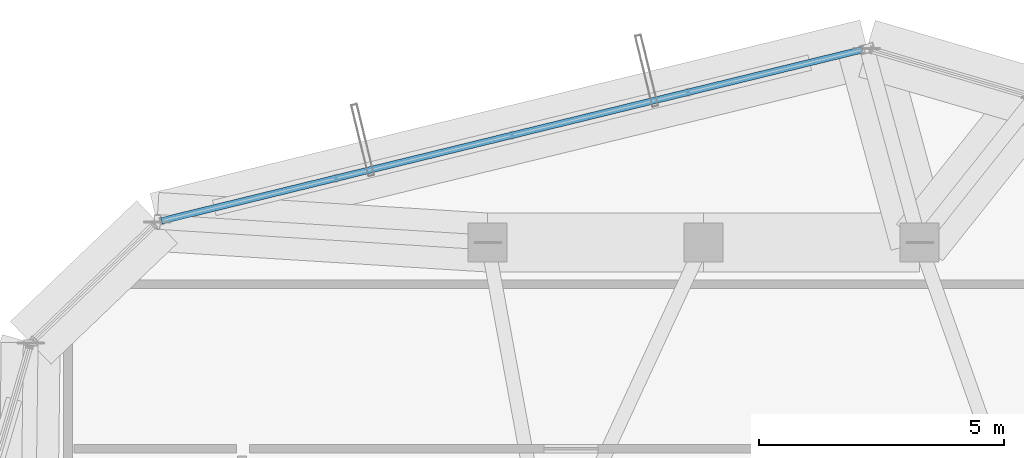
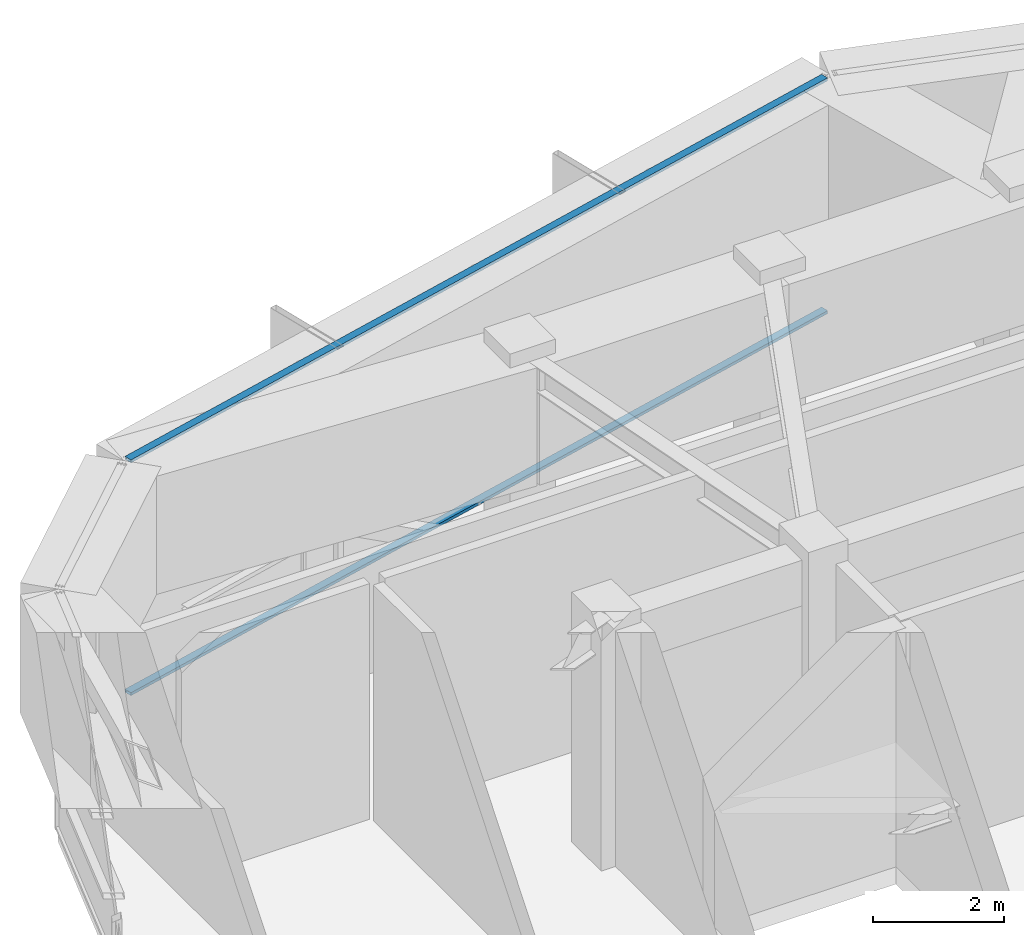
# One storey, part 32 of 39: 2 members, 1 element without a shape of its own.
"""IFC4 building model written with IfcOpenShell, lengths in metres."""

from ifc_helpers import new_model, si_unit, direction, frame, origin, origin_2d, place, context, subcontext, project, spatial, hollow_rectangle, extrude, source, transform, mapped, material, layer, layer_set, material_profile, profile_set, type_object, element, aggregate, save


model = new_model("IFC4")

# Units and contexts
model_context = context("Model", 3, precision=1e-05, world=origin(), true_north=direction((0.0, 1.0)))
body_context = subcontext(model_context, "Body", "Model", "MODEL_VIEW")
ifc_project = project(units=[si_unit("LENGTHUNIT", "METRE"), si_unit("AREAUNIT", "SQUARE_METRE"), si_unit("VOLUMEUNIT", "CUBIC_METRE"), si_unit("PLANEANGLEUNIT", "RADIAN"), si_unit("MASSUNIT", "GRAM", prefix="KILO")], contexts=[model_context])

# Site, building, storey
site_placement = place(None, origin())
site = spatial("IfcSite", under=ifc_project, at=site_placement, CompositionType="ELEMENT")
building_placement = place(site_placement, origin())
building = spatial("IfcBuilding", under=site, at=building_placement, Name="Veraguas Prism Commons", CompositionType="ELEMENT")
storey_placement = place(building_placement, frame((0.0, 0.0, 264.25)))
storey = spatial("IfcBuildingStorey", under=building, at=storey_placement, Name="L75", CompositionType="ELEMENT", Elevation=264.25)

# Curtain wall, members
ifc_material = material(Name="Anodised aluminium EN AW-6063 T6", Category="aluminium")
ifc_layer = layer(ifc_material, 0.14990234375, Name="Unitised Flush Curtain Wall Zone 4", Category="aluminium")
ifc_layer_set = layer_set([ifc_layer], Name="Anodised aluminium EN AW-6063 T6")
curtain_wall_type = type_object("IfcCurtainWallType", Name="Unitised Flush Curtain Wall Zone 4", PredefinedType="NOTDEFINED", material=ifc_layer_set)
curtain_wall_placement = place(storey_placement, origin())
curtain_wall = element("IfcCurtainWall", 1, at=curtain_wall_placement, inside=storey, type_object=curtain_wall_type, Name="Tower Facade Curtain Wall L75-F2", PredefinedType="NOTDEFINED")
ifc_material_profile = material_profile(ifc_material, hollow_rectangle(XDim=0.054931640625, YDim=0.135009765625, WallThickness=0.0029296875, at=origin_2d()), Name="AL55X135X3")
ifc_profile_set = profile_set([ifc_material_profile], Name="Anodised aluminium EN AW-6063 T6")
member_type = type_object("IfcMemberType", Name="Curtain Wall Transom Standard AL 55x135x3", PredefinedType="USERDEFINED", material=ifc_profile_set)
shared_shape = source(origin(), body_context, "Body", "SweptSolid", [
    extrude(hollow_rectangle(XDim=0.054931640625, YDim=0.135009765625, WallThickness=0.0029296875, at=origin_2d()), origin(), (0.0, 0.0, 1.0), 14.706298828125),
])
member_1_placement = place(storey_placement, frame((27.24072265625, 41.72900390625, 0.027587890625), z_axis=(-0.971465597161, -0.237180508333, 0.0), x_axis=(0.0, 0.0, 1.0)))
member_1 = element("IfcMember", 2, at=member_1_placement, type_object=member_type, Name="CW-Z4 Transom 1", ObjectType="TRANSOM", PredefinedType="USERDEFINED", context=body_context, shape_type="MappedRepresentation", body=[
    mapped(shared_shape, transform((0.0, 0.0, 0.0), scale=1.0)),
])
member_2_placement = place(storey_placement, frame((27.24072265625, 41.72900390625, 4.362548828125), z_axis=(-0.971465597161, -0.237180508333, 0.0), x_axis=(0.0, 0.0, 1.0)))
member_2 = element("IfcMember", 3, at=member_2_placement, type_object=member_type, Name="CW-Z4 Transom 2", ObjectType="TRANSOM", PredefinedType="USERDEFINED", context=body_context, shape_type="MappedRepresentation", body=[
    mapped(shared_shape, transform((0.0, 0.0, 0.0), scale=1.0)),
])
aggregate(curtain_wall, [member_1, member_2])

save(model, "model.ifc")
